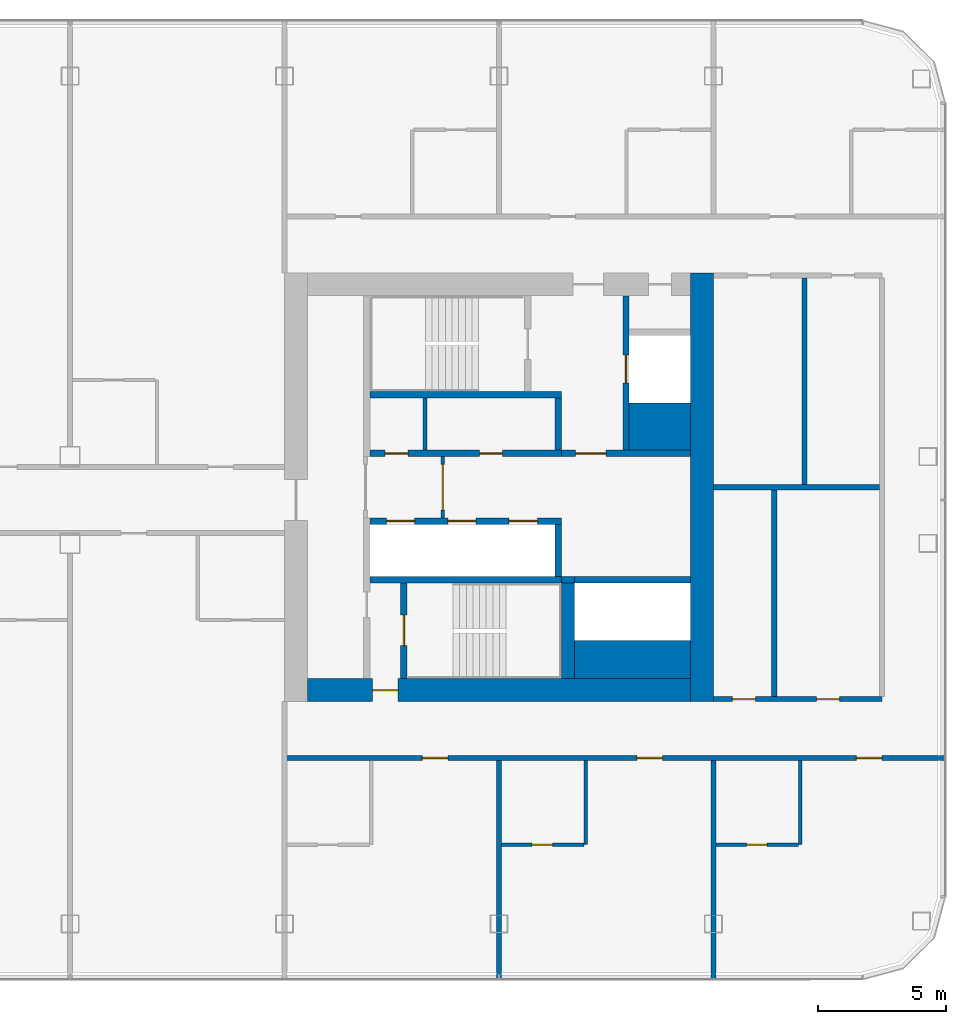
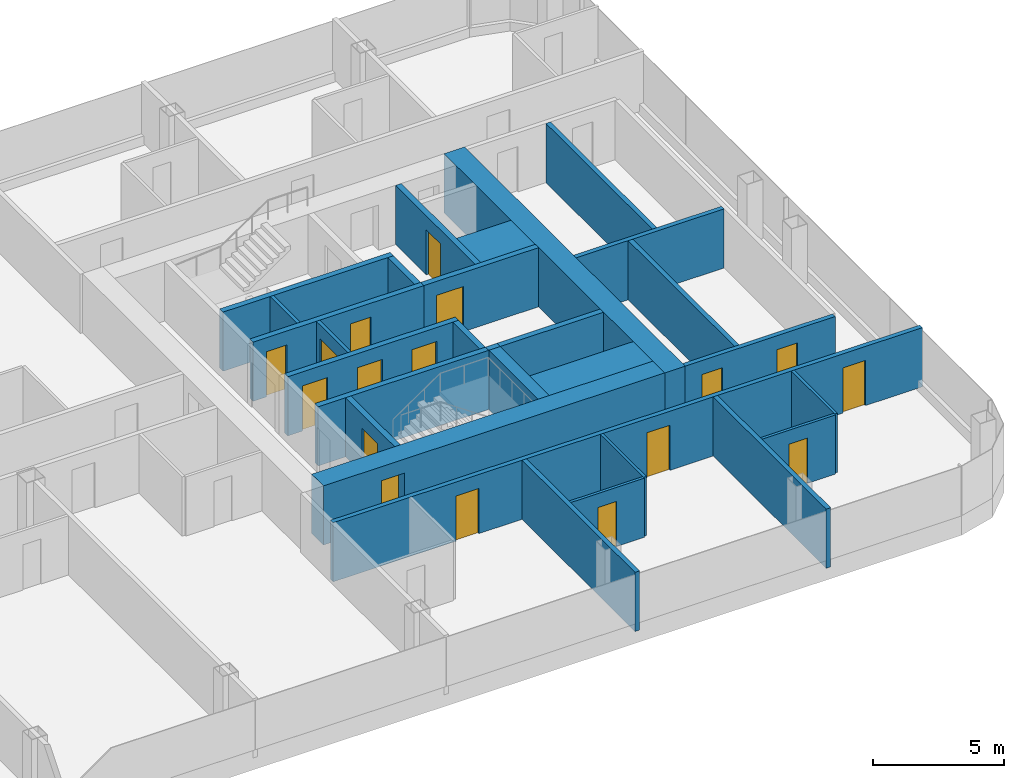
# One storey, part 16 of 26: 29 walls, 17 doors, 17 openings.
"""IFC4 building model written with IfcOpenShell, lengths in metres."""

from ifc_helpers import new_model, si_unit, direction, frame, frame_2d, origin, place, context, subcontext, project, spatial, rectangle, extrude, material, layer, layer_set, type_object, element, fill, save


model = new_model("IFC4")

# Units and contexts
model_context = context("Model", 3, precision=1e-05, world=origin(), true_north=direction((0.0, 1.0)))
body_context = subcontext(model_context, "Body", "Model", "MODEL_VIEW")
ifc_project = project(units=[si_unit("LENGTHUNIT", "METRE"), si_unit("AREAUNIT", "SQUARE_METRE"), si_unit("VOLUMEUNIT", "CUBIC_METRE"), si_unit("PLANEANGLEUNIT", "RADIAN"), si_unit("MASSUNIT", "GRAM", prefix="KILO")], contexts=[model_context])

# Site, building, storey
site_placement = place(None, origin())
site = spatial("IfcSite", under=ifc_project, at=site_placement, CompositionType="ELEMENT")
building_placement = place(site_placement, origin())
building = spatial("IfcBuilding", under=site, at=building_placement, Name="Hakoniwa Tower and Hamabe Station Hall", CompositionType="ELEMENT")
storey_placement = place(building_placement, frame((0.0, 0.0, 131.0)))
storey = spatial("IfcBuildingStorey", under=building, at=storey_placement, Name="L36", CompositionType="ELEMENT", Elevation=131.0)

# Wall, opening, door
ifc_material_1 = material(Name="Gypsum board partition", Category="gypsum")
ifc_layer_1 = layer(ifc_material_1, 0.125)
ifc_layer_set_1 = layer_set([ifc_layer_1], Name="Bathroom Partition 125")
wall_type_1 = type_object("IfcWallType", Name="Bathroom Partition 125", PredefinedType="PARTITIONING", material=ifc_layer_set_1)
wall_1_placement = place(storey_placement, frame((25.300048828125, -14.0, 0.0), z_axis=(0.0, 0.0, 1.0), x_axis=(1.0, 0.0, 0.0)))
wall_1 = element("IfcWall", 1, at=wall_1_placement, inside=storey, type_object=wall_type_1, Name="GW-L36-005", PredefinedType="PARTITIONING", context=body_context, shape_type="SweptSolid", body=[
    extrude(rectangle(XDim=3.237548828125, YDim=0.125, at=frame_2d((1.61865234375, 0.0))), origin(), (0.0, 0.0, 1.0), 2.75),
])
opening_1_placement = place(wall_1_placement, frame((1.199951171875, 0.0, 0.0)))
opening_1 = element("IfcOpeningElement", 2, at=opening_1_placement, cuts=wall_1, Name="Opening GD-G3A0-05", PredefinedType="OPENING", context=body_context, shape_type="SweptSolid", body=[
    extrude(rectangle(XDim=0.800048828125, YDim=2.10009765625, at=frame_2d((0.39990234375, 1.050048828125))), frame((0.0, 0.072509765625, 0.0), z_axis=(0.0, -1.0, 0.0), x_axis=(1.0, 0.0, 0.0)), (0.0, 0.0, 1.0), 0.14501953125),
])
ifc_material_2 = material(Name="Timber door leaf", Category="wood")
door_type_1 = type_object("IfcDoorType", Name="Bathroom Door 800", OperationType="SINGLE_SWING_LEFT", PredefinedType="DOOR", material=ifc_material_2)
door_1_placement = place(opening_1_placement, origin())
door_1 = element("IfcDoor", 3, at=door_1_placement, inside=storey, type_object=door_type_1, Name="Door GD-G3A0-05", OperationType="SINGLE_SWING_LEFT", OverallHeight=2.10009765625, OverallWidth=0.800048828125, PredefinedType="DOOR", context=body_context, shape_type="SweptSolid", body=[
    extrude(rectangle(XDim=0.800048828125, YDim=2.10009765625, at=frame_2d((0.39990234375, 1.050048828125))), frame((0.0, 0.02490234375, 0.0), z_axis=(0.0, -1.0, 0.0), x_axis=(1.0, 0.0, 0.0)), (0.0, 0.0, 1.0), 0.050048828125),
])
fill(opening_1, door_1)

wall_2_placement = place(storey_placement, frame((33.699951171875, -14.0, 0.0), z_axis=(0.0, 0.0, 1.0), x_axis=(1.0, 0.0, 0.0)))
wall_2 = element("IfcWall", 4, at=wall_2_placement, inside=storey, type_object=wall_type_1, Name="GW-L36-006", PredefinedType="PARTITIONING", context=body_context, shape_type="SweptSolid", body=[
    extrude(rectangle(XDim=3.237548828125, YDim=0.125, at=frame_2d((1.61865234375, 0.0))), origin(), (0.0, 0.0, 1.0), 2.75),
])
opening_2_placement = place(wall_2_placement, frame((1.199951171875, 0.0, 0.0)))
opening_2 = element("IfcOpeningElement", 5, at=opening_2_placement, cuts=wall_2, Name="Opening GD-G3A0-06", PredefinedType="OPENING", context=body_context, shape_type="SweptSolid", body=[
    extrude(rectangle(XDim=0.800048828125, YDim=2.10009765625, at=frame_2d((0.39990234375, 1.050048828125))), frame((0.0, 0.072509765625, 0.0), z_axis=(0.0, -1.0, 0.0), x_axis=(1.0, 0.0, 0.0)), (0.0, 0.0, 1.0), 0.14501953125),
])
door_2_placement = place(opening_2_placement, origin())
door_2 = element("IfcDoor", 6, at=door_2_placement, inside=storey, type_object=door_type_1, Name="Door GD-G3A0-06", OperationType="SINGLE_SWING_RIGHT", OverallHeight=2.10009765625, OverallWidth=0.800048828125, PredefinedType="DOOR", context=body_context, shape_type="SweptSolid", body=[
    extrude(rectangle(XDim=0.800048828125, YDim=2.10009765625, at=frame_2d((0.39990234375, 1.050048828125))), frame((0.0, 0.02490234375, 0.0), z_axis=(0.0, -1.0, 0.0), x_axis=(1.0, 0.0, 0.0)), (0.0, 0.0, 1.0), 0.050048828125),
])
fill(opening_2, door_2)

# Walls
for number, where, z_axis, x_axis, name in (
    (7, (28.60009765625, -14.0, 0.0), (0.0, 0.0, 1.0), (0.0, 1.0, 0.0), "GW-L36-064"),
    (8, (37.0, -14.0, 0.0), (0.0, 0.0, 1.0), (0.0, 1.0, 0.0), "GW-L36-069"),
):
    element("IfcWall", number, at=place(storey_placement, frame(where, z_axis=z_axis, x_axis=x_axis)), inside=storey, type_object=wall_type_1, Name=name, PredefinedType="PARTITIONING", context=body_context, shape_type="SweptSolid", body=[
        extrude(rectangle(XDim=3.300048828125, YDim=0.125, at=frame_2d((1.64990234375, 0.0))), origin(), (0.0, 0.0, 1.0), 2.75),
    ])

# Wall, opening, door
ifc_material_3 = material(Name="Gypsum board partition")
ifc_layer_2 = layer(ifc_material_3, 0.14990234375)
ifc_layer_set_2 = layer_set([ifc_layer_2], Name="CORE PARTITION 150 EI 60")
wall_type_2 = type_object("IfcWallType", Name="CORE PARTITION 150 EI 60", PredefinedType="PARTITIONING", material=ifc_layer_set_2)
wall_3_placement = place(storey_placement, frame((23.0, -1.199951171875, 0.0), z_axis=(0.0, 0.0, 1.0), x_axis=(0.0, 1.0, 0.0)))
wall_3 = element("IfcWall", 9, at=wall_3_placement, inside=storey, type_object=wall_type_2, Name="Core partition PL1 east", PredefinedType="PARTITIONING", context=body_context, shape_type="SweptSolid", body=[
    extrude(rectangle(XDim=2.39990234375, YDim=0.14990234375, at=frame_2d((1.199951171875, 0.0))), origin(), (0.0, 0.0, 1.0), 2.75),
])
opening_3_placement = place(wall_3_placement, frame((0.300048828125, 0.0, 0.0)))
opening_3 = element("IfcOpeningElement", 10, at=opening_3_placement, cuts=wall_3, Name="Opening CD-E-LP1-18", PredefinedType="OPENING", context=body_context, shape_type="SweptSolid", body=[
    extrude(rectangle(XDim=1.800048828125, YDim=2.10009765625, at=frame_2d((0.89990234375, 1.050048828125))), frame((0.0, 0.0849609375, 0.0), z_axis=(0.0, -1.0, 0.0), x_axis=(1.0, 0.0, 0.0)), (0.0, 0.0, 1.0), 0.169921875),
])
ifc_material_4 = material(Name="Steel fire door", Category="steel")
door_type_2 = type_object("IfcDoorType", Name="CORE DOOR 1800 FD60", OperationType="DOUBLE_DOOR_SINGLE_SWING", PredefinedType="DOOR", material=ifc_material_4)
door_3_placement = place(opening_3_placement, origin())
door_3 = element("IfcDoor", 11, at=door_3_placement, inside=storey, type_object=door_type_2, Name="Lift lobby partition door", OperationType="DOUBLE_DOOR_SINGLE_SWING", OverallHeight=2.10009765625, OverallWidth=1.800048828125, PredefinedType="DOOR", context=body_context, shape_type="SweptSolid", body=[
    extrude(rectangle(XDim=1.800048828125, YDim=2.10009765625, at=frame_2d((0.89990234375, 1.050048828125))), frame((0.0, 0.02490234375, 0.0), z_axis=(0.0, -1.0, 0.0), x_axis=(1.0, 0.0, 0.0)), (0.0, 0.0, 1.0), 0.050048828125),
])
fill(opening_3, door_3)

# Walls
wall_4_placement = place(storey_placement, frame((22.300048828125, 1.449951171875, 0.0), z_axis=(0.0, 0.0, 1.0), x_axis=(0.0, 1.0, 0.0)))
element("IfcWall", 12, at=wall_4_placement, inside=storey, type_object=wall_type_2, Name="Core partition PFLR0 east", PredefinedType="PARTITIONING", context=body_context, shape_type="SweptSolid", body=[
    extrude(rectangle(XDim=2.050048828125, YDim=0.14990234375, at=frame_2d((1.02490234375, 0.0))), origin(), (0.0, 0.0, 1.0), 2.75),
])
ifc_material_5 = material(Name="Concrete C66", Category="concrete")
ifc_layer_3 = layer(ifc_material_5, 0.89990234375)
ifc_layer_set_3 = layer_set([ifc_layer_3], Name="CORE WALL 900 C66")
wall_type_3 = type_object("IfcWallType", Name="CORE WALL 900 C66", PredefinedType="SHEAR", material=ifc_layer_set_3)
wall_5_placement = place(storey_placement, frame((33.14990234375, -8.39990234375, 0.0), z_axis=(0.0, 0.0, 1.0), x_axis=(0.0, 1.0, 0.0)))
element("IfcWall", 13, at=wall_5_placement, inside=storey, type_object=wall_type_3, Name="Core wall OUTER east", PredefinedType="SHEAR", context=body_context, shape_type="SweptSolid", body=[
    extrude(rectangle(XDim=16.7998046875, YDim=0.89990234375, at=frame_2d((8.39990234375, 0.0))), origin(), (0.0, 0.0, 1.0), 2.75),
])

# Wall, opening, door
wall_6_placement = place(storey_placement, frame((17.699951171875, -7.949951171875, 0.0), z_axis=(0.0, 0.0, 1.0), x_axis=(1.0, 0.0, 0.0)))
wall_6 = element("IfcWall", 14, at=wall_6_placement, inside=storey, type_object=wall_type_3, Name="Core wall SOUTH east", PredefinedType="SHEAR", context=body_context, shape_type="SweptSolid", body=[
    extrude(rectangle(XDim=15.0, YDim=0.89990234375, at=frame_2d((7.5, 0.0))), origin(), (0.0, 0.0, 1.0), 2.75),
])
opening_4_placement = place(wall_6_placement, frame((2.550048828125, 0.0, 0.0)))
opening_4 = element("IfcOpeningElement", 15, at=opening_4_placement, cuts=wall_6, Name="Opening CD-E-FS3-10", PredefinedType="OPENING", context=body_context, shape_type="SweptSolid", body=[
    extrude(rectangle(XDim=1.0, YDim=2.10009765625, at=frame_2d((0.5, 1.050048828125))), frame((0.0, 0.4599609375, 0.0), z_axis=(0.0, -1.0, 0.0), x_axis=(1.0, 0.0, 0.0)), (0.0, 0.0, 1.0), 0.919921875),
])
ifc_material_6 = material(Name="Steel fire door", Category="steel")
door_type_3 = type_object("IfcDoorType", Name="CORE DOOR 1000 FD60", OperationType="NOTDEFINED", PredefinedType="DOOR", material=ifc_material_6)
door_4_placement = place(opening_4_placement, origin())
door_4 = element("IfcDoor", 16, at=door_4_placement, inside=storey, type_object=door_type_3, Name="Stair vestibule door", OperationType="SINGLE_SWING_RIGHT", OverallHeight=2.10009765625, OverallWidth=1.0, PredefinedType="DOOR", context=body_context, shape_type="SweptSolid", body=[
    extrude(rectangle(XDim=1.0, YDim=2.10009765625, at=frame_2d((0.5, 1.050048828125))), frame((0.0, 0.02490234375, 0.0), z_axis=(0.0, -1.0, 0.0), x_axis=(1.0, 0.0, 0.0)), (0.0, 0.0, 1.0), 0.050048828125),
])
fill(opening_4, door_4)

# Walls
ifc_material_7 = material(Name="Concrete C66", Category="concrete")
ifc_layer_4 = layer(ifc_material_7, 1.5)
ifc_layer_set_4 = layer_set([ifc_layer_4], Name="CORE WEB WALL 1500 C66")
wall_type_4 = type_object("IfcWallType", Name="CORE WEB WALL 1500 C66", PredefinedType="SHEAR", material=ifc_layer_set_4)
wall_7_placement = place(storey_placement, frame((28.14990234375, -6.75, 0.0), z_axis=(0.0, 0.0, 1.0), x_axis=(1.0, 0.0, 0.0)))
element("IfcWall", 17, at=wall_7_placement, inside=storey, type_object=wall_type_4, Name="Core wall SER east", PredefinedType="SHEAR", context=body_context, shape_type="SweptSolid", body=[
    extrude(rectangle(XDim=4.550048828125, YDim=1.5, at=frame_2d((2.27490234375, 0.0))), origin(), (0.0, 0.0, 1.0), 2.75),
])
ifc_material_8 = material(Name="Concrete C66", Category="concrete")
ifc_layer_5 = layer(ifc_material_8, 1.85009765625)
ifc_layer_set_5 = layer_set([ifc_layer_5], Name="CORE WEB WALL 1850 C66")
wall_type_5 = type_object("IfcWallType", Name="CORE WEB WALL 1850 C66", PredefinedType="SHEAR", material=ifc_layer_set_5)
wall_8_placement = place(storey_placement, frame((30.300048828125, 2.375, 0.0), z_axis=(0.0, 0.0, 1.0), x_axis=(1.0, 0.0, 0.0)))
element("IfcWall", 18, at=wall_8_placement, inside=storey, type_object=wall_type_5, Name="Core wall CA east", PredefinedType="SHEAR", context=body_context, shape_type="SweptSolid", body=[
    extrude(rectangle(XDim=2.39990234375, YDim=1.85009765625, at=frame_2d((1.199951171875, 0.0))), origin(), (0.0, 0.0, 1.0), 2.75),
])

# Wall, openings, doors
ifc_material_9 = material(Name="Concrete C66", Category="concrete")
ifc_layer_6 = layer(ifc_material_9, 0.25)
ifc_layer_set_6 = layer_set([ifc_layer_6], Name="CORE WEB WALL 250 C66")
wall_type_6 = type_object("IfcWallType", Name="CORE WEB WALL 250 C66", PredefinedType="SHEAR", material=ifc_layer_set_6)
wall_9_placement = place(storey_placement, frame((20.14990234375, 1.324951171875, 0.0), z_axis=(0.0, 0.0, 1.0), x_axis=(1.0, 0.0, 0.0)))
wall_9 = element("IfcWall", 19, at=wall_9_placement, inside=storey, type_object=wall_type_6, Name="Core wall NF east", PredefinedType="SHEAR", context=body_context, shape_type="SweptSolid", body=[
    extrude(rectangle(XDim=7.5, YDim=0.25, at=frame_2d((3.75, 0.0))), origin(), (0.0, 0.0, 1.0), 2.75),
])
opening_5_placement = place(wall_9_placement, frame((0.58740234375, 0.0, 0.0)))
opening_5 = element("IfcOpeningElement", 20, at=opening_5_placement, cuts=wall_9, Name="Opening CD-E-FRLR0-9", PredefinedType="OPENING", context=body_context, shape_type="SweptSolid", body=[
    extrude(rectangle(XDim=0.89990234375, YDim=2.10009765625, at=frame_2d((0.449951171875, 1.050048828125))), frame((0.0, 0.135009765625, 0.0), z_axis=(0.0, -1.0, 0.0), x_axis=(1.0, 0.0, 0.0)), (0.0, 0.0, 1.0), 0.27001953125),
])
opening_6_placement = place(wall_9_placement, frame((4.28759765625, 0.0, 0.0)))
opening_6 = element("IfcOpeningElement", 21, at=opening_6_placement, cuts=wall_9, Name="Opening CD-E-FRLR1-9", PredefinedType="OPENING", context=body_context, shape_type="SweptSolid", body=[
    extrude(rectangle(XDim=0.89990234375, YDim=2.10009765625, at=frame_2d((0.449951171875, 1.050048828125))), frame((0.0, 0.135009765625, 0.0), z_axis=(0.0, -1.0, 0.0), x_axis=(1.0, 0.0, 0.0)), (0.0, 0.0, 1.0), 0.27001953125),
])
ifc_material_10 = material(Name="Steel fire door", Category="steel")
door_type_4 = type_object("IfcDoorType", Name="CORE DOOR 900 FD30", OperationType="NOTDEFINED", PredefinedType="DOOR", material=ifc_material_10)
door_5_placement = place(opening_5_placement, origin())
door_5 = element("IfcDoor", 22, at=door_5_placement, inside=storey, type_object=door_type_4, Name="Store room door", OperationType="SINGLE_SWING_RIGHT", OverallHeight=2.10009765625, OverallWidth=0.89990234375, PredefinedType="DOOR", context=body_context, shape_type="SweptSolid", body=[
    extrude(rectangle(XDim=0.89990234375, YDim=2.10009765625, at=frame_2d((0.449951171875, 1.050048828125))), frame((0.0, 0.02490234375, 0.0), z_axis=(0.0, -1.0, 0.0), x_axis=(1.0, 0.0, 0.0)), (0.0, 0.0, 1.0), 0.050048828125),
])
fill(opening_5, door_5)
door_6_placement = place(opening_6_placement, origin())
door_6 = element("IfcDoor", 23, at=door_6_placement, inside=storey, type_object=door_type_4, Name="Store room door", OperationType="SINGLE_SWING_RIGHT", OverallHeight=2.10009765625, OverallWidth=0.89990234375, PredefinedType="DOOR", context=body_context, shape_type="SweptSolid", body=[
    extrude(rectangle(XDim=0.89990234375, YDim=2.10009765625, at=frame_2d((0.449951171875, 1.050048828125))), frame((0.0, 0.02490234375, 0.0), z_axis=(0.0, -1.0, 0.0), x_axis=(1.0, 0.0, 0.0)), (0.0, 0.0, 1.0), 0.050048828125),
])
fill(opening_6, door_6)

# Walls
wall_10_placement = place(storey_placement, frame((27.52490234375, 1.449951171875, 0.0), z_axis=(0.0, 0.0, 1.0), x_axis=(0.0, 1.0, 0.0)))
element("IfcWall", 24, at=wall_10_placement, inside=storey, type_object=wall_type_6, Name="Core wall NE east", PredefinedType="SHEAR", context=body_context, shape_type="SweptSolid", body=[
    extrude(rectangle(XDim=2.050048828125, YDim=0.25, at=frame_2d((1.02490234375, 0.0))), origin(), (0.0, 0.0, 1.0), 2.75),
])
wall_11_placement = place(storey_placement, frame((20.14990234375, 3.625, 0.0), z_axis=(0.0, 0.0, 1.0), x_axis=(1.0, 0.0, 0.0)))
element("IfcWall", 25, at=wall_11_placement, inside=storey, type_object=wall_type_6, Name="Core wall NR east", PredefinedType="SHEAR", context=body_context, shape_type="SweptSolid", body=[
    extrude(rectangle(XDim=7.5, YDim=0.25, at=frame_2d((3.75, 0.0))), origin(), (0.0, 0.0, 1.0), 2.75),
])

# Wall, opening, door
wall_12_placement = place(storey_placement, frame((27.64990234375, 1.324951171875, 0.0), z_axis=(0.0, 0.0, 1.0), x_axis=(1.0, 0.0, 0.0)))
wall_12 = element("IfcWall", 26, at=wall_12_placement, inside=storey, type_object=wall_type_6, Name="Core wall ELN east", PredefinedType="SHEAR", context=body_context, shape_type="SweptSolid", body=[
    extrude(rectangle(XDim=5.050048828125, YDim=0.25, at=frame_2d((2.52490234375, 0.0))), origin(), (0.0, 0.0, 1.0), 2.75),
])
opening_7_placement = place(wall_12_placement, frame((0.550048828125, 0.0, 0.0)))
opening_7 = element("IfcOpeningElement", 27, at=opening_7_placement, cuts=wall_12, Name="Opening CD-E-FL-12", PredefinedType="OPENING", context=body_context, shape_type="SweptSolid", body=[
    extrude(rectangle(XDim=1.199951171875, YDim=2.10009765625, at=frame_2d((0.60009765625, 1.050048828125))), frame((0.0, 0.135009765625, 0.0), z_axis=(0.0, -1.0, 0.0), x_axis=(1.0, 0.0, 0.0)), (0.0, 0.0, 1.0), 0.27001953125),
])
ifc_material_11 = material(Name="Steel fire door", Category="steel")
door_type_5 = type_object("IfcDoorType", Name="CORE DOOR 1200 FD60", OperationType="DOUBLE_DOOR_SINGLE_SWING", PredefinedType="DOOR", material=ifc_material_11)
door_7_placement = place(opening_7_placement, origin())
door_7 = element("IfcDoor", 28, at=door_7_placement, inside=storey, type_object=door_type_5, Name="Stair vestibule door to the fire-fighting lobby", OperationType="DOUBLE_DOOR_SINGLE_SWING", OverallHeight=2.10009765625, OverallWidth=1.199951171875, PredefinedType="DOOR", context=body_context, shape_type="SweptSolid", body=[
    extrude(rectangle(XDim=1.199951171875, YDim=2.10009765625, at=frame_2d((0.60009765625, 1.050048828125))), frame((0.0, 0.02490234375, 0.0), z_axis=(0.0, -1.0, 0.0), x_axis=(1.0, 0.0, 0.0)), (0.0, 0.0, 1.0), 0.050048828125),
])
fill(opening_7, door_7)

wall_13_placement = place(storey_placement, frame((30.175048828125, 1.449951171875, 0.0), z_axis=(0.0, 0.0, 1.0), x_axis=(0.0, 1.0, 0.0)))
wall_13 = element("IfcWall", 29, at=wall_13_placement, inside=storey, type_object=wall_type_6, Name="Core wall FFF east", PredefinedType="SHEAR", context=body_context, shape_type="SweptSolid", body=[
    extrude(rectangle(XDim=6.050048828125, YDim=0.25, at=frame_2d((3.02490234375, 0.0))), origin(), (0.0, 0.0, 1.0), 2.75),
])
opening_8_placement = place(wall_13_placement, frame((2.625, 0.0, 0.0)))
opening_8 = element("IfcOpeningElement", 30, at=opening_8_placement, cuts=wall_13, Name="Opening LD-FF2", PredefinedType="OPENING", context=body_context, shape_type="SweptSolid", body=[
    extrude(rectangle(XDim=1.10009765625, YDim=2.10009765625, at=frame_2d((0.550048828125, 1.050048828125))), frame((0.0, 0.135009765625, 0.0), z_axis=(0.0, -1.0, 0.0), x_axis=(1.0, 0.0, 0.0)), (0.0, 0.0, 1.0), 0.27001953125),
])
ifc_material_12 = material(Name="Stainless steel SUS304", Category="steel")
door_type_6 = type_object("IfcDoorType", Name="LIFT LANDING DOOR 1100 FD60", OperationType="DOUBLE_DOOR_SLIDING", PredefinedType="DOOR", material=ifc_material_12)
door_8_placement = place(opening_8_placement, origin())
door_8 = element("IfcDoor", 31, at=door_8_placement, inside=storey, type_object=door_type_6, Name="Lift landing door FF2 L36", OperationType="DOUBLE_DOOR_SLIDING", OverallHeight=2.10009765625, OverallWidth=1.10009765625, PredefinedType="DOOR", context=body_context, shape_type="SweptSolid", body=[
    extrude(rectangle(XDim=1.10009765625, YDim=2.10009765625, at=frame_2d((0.550048828125, 1.050048828125))), frame((0.0, 0.02490234375, 0.0), z_axis=(0.0, -1.0, 0.0), x_axis=(1.0, 0.0, 0.0)), (0.0, 0.0, 1.0), 0.050048828125),
])
fill(opening_8, door_8)

# Wall, openings, doors
wall_14_placement = place(storey_placement, frame((20.14990234375, -1.324951171875, 0.0), z_axis=(0.0, 0.0, 1.0), x_axis=(1.0, 0.0, 0.0)))
wall_14 = element("IfcWall", 32, at=wall_14_placement, inside=storey, type_object=wall_type_6, Name="Core wall SF east", PredefinedType="SHEAR", context=body_context, shape_type="SweptSolid", body=[
    extrude(rectangle(XDim=7.5, YDim=0.25, at=frame_2d((3.75, 0.0))), origin(), (0.0, 0.0, 1.0), 2.75),
])
opening_9_placement = place(wall_14_placement, frame((0.64990234375, 0.0, 0.0)))
opening_9 = element("IfcOpeningElement", 33, at=opening_9_placement, cuts=wall_14, Name="Opening LD-HR4", PredefinedType="OPENING", context=body_context, shape_type="SweptSolid", body=[
    extrude(rectangle(XDim=1.10009765625, YDim=2.10009765625, at=frame_2d((0.550048828125, 1.050048828125))), frame((0.0, 0.135009765625, 0.0), z_axis=(0.0, -1.0, 0.0), x_axis=(1.0, 0.0, 0.0)), (0.0, 0.0, 1.0), 0.27001953125),
])
opening_10_placement = place(wall_14_placement, frame((3.050048828125, 0.0, 0.0)))
opening_10 = element("IfcOpeningElement", 34, at=opening_10_placement, cuts=wall_14, Name="Opening LD-HR5", PredefinedType="OPENING", context=body_context, shape_type="SweptSolid", body=[
    extrude(rectangle(XDim=1.10009765625, YDim=2.10009765625, at=frame_2d((0.550048828125, 1.050048828125))), frame((0.0, 0.135009765625, 0.0), z_axis=(0.0, -1.0, 0.0), x_axis=(1.0, 0.0, 0.0)), (0.0, 0.0, 1.0), 0.27001953125),
])
opening_11_placement = place(wall_14_placement, frame((5.449951171875, 0.0, 0.0)))
opening_11 = element("IfcOpeningElement", 35, at=opening_11_placement, cuts=wall_14, Name="Opening LD-HR6", PredefinedType="OPENING", context=body_context, shape_type="SweptSolid", body=[
    extrude(rectangle(XDim=1.10009765625, YDim=2.10009765625, at=frame_2d((0.550048828125, 1.050048828125))), frame((0.0, 0.135009765625, 0.0), z_axis=(0.0, -1.0, 0.0), x_axis=(1.0, 0.0, 0.0)), (0.0, 0.0, 1.0), 0.27001953125),
])
door_9_placement = place(opening_9_placement, origin())
door_9 = element("IfcDoor", 36, at=door_9_placement, inside=storey, type_object=door_type_6, Name="Lift landing door HR4 L36", OperationType="DOUBLE_DOOR_SLIDING", OverallHeight=2.10009765625, OverallWidth=1.10009765625, PredefinedType="DOOR", context=body_context, shape_type="SweptSolid", body=[
    extrude(rectangle(XDim=1.10009765625, YDim=2.10009765625, at=frame_2d((0.550048828125, 1.050048828125))), frame((0.0, 0.02490234375, 0.0), z_axis=(0.0, -1.0, 0.0), x_axis=(1.0, 0.0, 0.0)), (0.0, 0.0, 1.0), 0.050048828125),
])
fill(opening_9, door_9)
door_10_placement = place(opening_10_placement, origin())
door_10 = element("IfcDoor", 37, at=door_10_placement, inside=storey, type_object=door_type_6, Name="Lift landing door HR5 L36", OperationType="DOUBLE_DOOR_SLIDING", OverallHeight=2.10009765625, OverallWidth=1.10009765625, PredefinedType="DOOR", context=body_context, shape_type="SweptSolid", body=[
    extrude(rectangle(XDim=1.10009765625, YDim=2.10009765625, at=frame_2d((0.550048828125, 1.050048828125))), frame((0.0, 0.02490234375, 0.0), z_axis=(0.0, -1.0, 0.0), x_axis=(1.0, 0.0, 0.0)), (0.0, 0.0, 1.0), 0.050048828125),
])
fill(opening_10, door_10)
door_11_placement = place(opening_11_placement, origin())
door_11 = element("IfcDoor", 38, at=door_11_placement, inside=storey, type_object=door_type_6, Name="Lift landing door HR6 L36", OperationType="DOUBLE_DOOR_SLIDING", OverallHeight=2.10009765625, OverallWidth=1.10009765625, PredefinedType="DOOR", context=body_context, shape_type="SweptSolid", body=[
    extrude(rectangle(XDim=1.10009765625, YDim=2.10009765625, at=frame_2d((0.550048828125, 1.050048828125))), frame((0.0, 0.02490234375, 0.0), z_axis=(0.0, -1.0, 0.0), x_axis=(1.0, 0.0, 0.0)), (0.0, 0.0, 1.0), 0.050048828125),
])
fill(opening_11, door_11)

# Walls
wall_15_placement = place(storey_placement, frame((27.52490234375, -3.5, 0.0), z_axis=(0.0, 0.0, 1.0), x_axis=(0.0, 1.0, 0.0)))
element("IfcWall", 39, at=wall_15_placement, inside=storey, type_object=wall_type_6, Name="Core wall SE east", PredefinedType="SHEAR", context=body_context, shape_type="SweptSolid", body=[
    extrude(rectangle(XDim=2.050048828125, YDim=0.25, at=frame_2d((1.02490234375, 0.0))), origin(), (0.0, 0.0, 1.0), 2.75),
])
wall_16_placement = place(storey_placement, frame((20.14990234375, -3.625, 0.0), z_axis=(0.0, 0.0, 1.0), x_axis=(1.0, 0.0, 0.0)))
element("IfcWall", 40, at=wall_16_placement, inside=storey, type_object=wall_type_6, Name="Core wall SR east", PredefinedType="SHEAR", context=body_context, shape_type="SweptSolid", body=[
    extrude(rectangle(XDim=7.5, YDim=0.25, at=frame_2d((3.75, 0.0))), origin(), (0.0, 0.0, 1.0), 2.75),
])

# Wall, opening, door
wall_17_placement = place(storey_placement, frame((21.47509765625, -7.5, 0.0), z_axis=(0.0, 0.0, 1.0), x_axis=(0.0, 1.0, 0.0)))
wall_17 = element("IfcWall", 41, at=wall_17_placement, inside=storey, type_object=wall_type_6, Name="Core wall VE east", PredefinedType="SHEAR", context=body_context, shape_type="SweptSolid", body=[
    extrude(rectangle(XDim=3.75, YDim=0.25, at=frame_2d((1.875, 0.0))), origin(), (0.0, 0.0, 1.0), 2.75),
])
opening_12_placement = place(wall_17_placement, frame((1.300048828125, 0.0, 0.0)))
opening_12 = element("IfcOpeningElement", 42, at=opening_12_placement, cuts=wall_17, Name="Opening CD-E-SS-12", PredefinedType="OPENING", context=body_context, shape_type="SweptSolid", body=[
    extrude(rectangle(XDim=1.199951171875, YDim=2.10009765625, at=frame_2d((0.60009765625, 1.050048828125))), frame((0.0, 0.135009765625, 0.0), z_axis=(0.0, -1.0, 0.0), x_axis=(1.0, 0.0, 0.0)), (0.0, 0.0, 1.0), 0.27001953125),
])
door_12_placement = place(opening_12_placement, origin())
door_12 = element("IfcDoor", 43, at=door_12_placement, inside=storey, type_object=door_type_5, Name="Escape stair door", OperationType="DOUBLE_DOOR_SINGLE_SWING", OverallHeight=2.10009765625, OverallWidth=1.199951171875, PredefinedType="DOOR", context=body_context, shape_type="SweptSolid", body=[
    extrude(rectangle(XDim=1.199951171875, YDim=2.10009765625, at=frame_2d((0.60009765625, 1.050048828125))), frame((0.0, 0.02490234375, 0.0), z_axis=(0.0, -1.0, 0.0), x_axis=(1.0, 0.0, 0.0)), (0.0, 0.0, 1.0), 0.050048828125),
])
fill(opening_12, door_12)

# Walls
wall_18_placement = place(storey_placement, frame((28.14990234375, -3.625, 0.0), z_axis=(0.0, 0.0, 1.0), x_axis=(1.0, 0.0, 0.0)))
element("IfcWall", 44, at=wall_18_placement, inside=storey, type_object=wall_type_6, Name="Core wall SEF east", PredefinedType="SHEAR", context=body_context, shape_type="SweptSolid", body=[
    extrude(rectangle(XDim=4.550048828125, YDim=0.25, at=frame_2d((2.27490234375, 0.0))), origin(), (0.0, 0.0, 1.0), 2.75),
])
wall_19_placement = place(storey_placement, frame((27.64990234375, -3.625, 0.0), z_axis=(0.0, 0.0, 1.0), x_axis=(1.0, 0.0, 0.0)))
element("IfcWall", 45, at=wall_19_placement, inside=storey, type_object=wall_type_6, Name="Core wall SRK east", PredefinedType="SHEAR", context=body_context, shape_type="SweptSolid", body=[
    extrude(rectangle(XDim=0.5, YDim=0.25, at=frame_2d((0.25, 0.0))), origin(), (0.0, 0.0, 1.0), 2.75),
])
ifc_material_13 = material(Name="Concrete C66", Category="concrete")
ifc_layer_7 = layer(ifc_material_13, 0.5)
ifc_layer_set_7 = layer_set([ifc_layer_7], Name="CORE WEB WALL 500 C66")
wall_type_7 = type_object("IfcWallType", Name="CORE WEB WALL 500 C66", PredefinedType="SHEAR", material=ifc_layer_set_7)
wall_20_placement = place(storey_placement, frame((27.89990234375, -7.5, 0.0), z_axis=(0.0, 0.0, 1.0), x_axis=(0.0, 1.0, 0.0)))
element("IfcWall", 46, at=wall_20_placement, inside=storey, type_object=wall_type_7, Name="Core wall SSE east", PredefinedType="SHEAR", context=body_context, shape_type="SweptSolid", body=[
    extrude(rectangle(XDim=3.75, YDim=0.5, at=frame_2d((1.875, 0.0))), origin(), (0.0, 0.0, 1.0), 2.75),
])

# Wall, openings, doors
ifc_material_14 = material(Name="Fire-rated gypsum board partition", Category="gypsum")
ifc_layer_8 = layer(ifc_material_14, 0.199951171875)
ifc_layer_set_8 = layer_set([ifc_layer_8], Name="Corridor Wall 200")
wall_type_8 = type_object("IfcWallType", Name="Corridor Wall 200", PredefinedType="PARTITIONING", material=ifc_layer_set_8)
wall_21_placement = place(storey_placement, frame((16.800048828125, -10.60009765625, 0.0), z_axis=(0.0, 0.0, 1.0), x_axis=(1.0, 0.0, 0.0)))
wall_21 = element("IfcWall", 47, at=wall_21_placement, inside=storey, type_object=wall_type_8, Name="GW-L36-008", PredefinedType="PARTITIONING", context=body_context, shape_type="SweptSolid", body=[
    extrude(rectangle(XDim=25.89990234375, YDim=0.199951171875, at=frame_2d((12.949951171875, 0.0))), origin(), (0.0, 0.0, 1.0), 2.75),
])
opening_13_placement = place(wall_21_placement, frame((5.39990234375, 0.0, 0.0)))
opening_13 = element("IfcOpeningElement", 48, at=opening_13_placement, cuts=wall_21, Name="Opening GD-G3A0-10", PredefinedType="OPENING", context=body_context, shape_type="SweptSolid", body=[
    extrude(rectangle(XDim=1.0, YDim=2.10009765625, at=frame_2d((0.5, 1.050048828125))), frame((0.0, 0.10986328125, 0.0), z_axis=(0.0, -1.0, 0.0), x_axis=(1.0, 0.0, 0.0)), (0.0, 0.0, 1.0), 0.219970703125),
])
opening_14_placement = place(wall_21_placement, frame((13.800048828125, 0.0, 0.0)))
opening_14 = element("IfcOpeningElement", 49, at=opening_14_placement, cuts=wall_21, Name="Opening GD-G3A0-11", PredefinedType="OPENING", context=body_context, shape_type="SweptSolid", body=[
    extrude(rectangle(XDim=1.0, YDim=2.10009765625, at=frame_2d((0.5, 1.050048828125))), frame((0.0, 0.10986328125, 0.0), z_axis=(0.0, -1.0, 0.0), x_axis=(1.0, 0.0, 0.0)), (0.0, 0.0, 1.0), 0.219970703125),
])
opening_15_placement = place(wall_21_placement, frame((22.39990234375, 0.0, 0.0)))
opening_15 = element("IfcOpeningElement", 50, at=opening_15_placement, cuts=wall_21, Name="Opening GD-G3A0-12", PredefinedType="OPENING", context=body_context, shape_type="SweptSolid", body=[
    extrude(rectangle(XDim=1.0, YDim=2.10009765625, at=frame_2d((0.5, 1.050048828125))), frame((0.0, 0.10986328125, 0.0), z_axis=(0.0, -1.0, 0.0), x_axis=(1.0, 0.0, 0.0)), (0.0, 0.0, 1.0), 0.219970703125),
])
ifc_material_15 = material(Name="Timber door leaf", Category="wood")
door_type_7 = type_object("IfcDoorType", Name="Guest Entrance Door 1000", OperationType="SINGLE_SWING_LEFT", PredefinedType="DOOR", material=ifc_material_15)
door_13_placement = place(opening_13_placement, origin())
door_13 = element("IfcDoor", 51, at=door_13_placement, inside=storey, type_object=door_type_7, Name="Door GD-G3A0-10", OperationType="SINGLE_SWING_RIGHT", OverallHeight=2.10009765625, OverallWidth=1.0, PredefinedType="DOOR", context=body_context, shape_type="SweptSolid", body=[
    extrude(rectangle(XDim=1.0, YDim=2.10009765625, at=frame_2d((0.5, 1.050048828125))), frame((0.0, 0.02490234375, 0.0), z_axis=(0.0, -1.0, 0.0), x_axis=(1.0, 0.0, 0.0)), (0.0, 0.0, 1.0), 0.050048828125),
])
fill(opening_13, door_13)
door_14_placement = place(opening_14_placement, origin())
door_14 = element("IfcDoor", 52, at=door_14_placement, inside=storey, type_object=door_type_7, Name="Door GD-G3A0-11", OperationType="SINGLE_SWING_LEFT", OverallHeight=2.10009765625, OverallWidth=1.0, PredefinedType="DOOR", context=body_context, shape_type="SweptSolid", body=[
    extrude(rectangle(XDim=1.0, YDim=2.10009765625, at=frame_2d((0.5, 1.050048828125))), frame((0.0, 0.02490234375, 0.0), z_axis=(0.0, -1.0, 0.0), x_axis=(1.0, 0.0, 0.0)), (0.0, 0.0, 1.0), 0.050048828125),
])
fill(opening_14, door_14)
door_15_placement = place(opening_15_placement, origin())
door_15 = element("IfcDoor", 53, at=door_15_placement, inside=storey, type_object=door_type_7, Name="Door GD-G3A0-12", OperationType="SINGLE_SWING_RIGHT", OverallHeight=2.10009765625, OverallWidth=1.0, PredefinedType="DOOR", context=body_context, shape_type="SweptSolid", body=[
    extrude(rectangle(XDim=1.0, YDim=2.10009765625, at=frame_2d((0.5, 1.050048828125))), frame((0.0, 0.02490234375, 0.0), z_axis=(0.0, -1.0, 0.0), x_axis=(1.0, 0.0, 0.0)), (0.0, 0.0, 1.0), 0.050048828125),
])
fill(opening_15, door_15)

wall_22_placement = place(storey_placement, frame((33.60009765625, -8.300048828125, 0.0), z_axis=(0.0, 0.0, 1.0), x_axis=(1.0, 0.0, 0.0)))
wall_22 = element("IfcWall", 54, at=wall_22_placement, inside=storey, type_object=wall_type_8, Name="GW-L36-010", PredefinedType="PARTITIONING", context=body_context, shape_type="SweptSolid", body=[
    extrude(rectangle(XDim=6.599853515625, YDim=0.199951171875, at=frame_2d((3.2998046875, 0.0))), origin(), (0.0, 0.0, 1.0), 2.75),
])
opening_16_placement = place(wall_22_placement, frame((0.739990234375, 0.0, 0.0)))
opening_16 = element("IfcOpeningElement", 55, at=opening_16_placement, cuts=wall_22, Name="Opening GD-G3A0-15", PredefinedType="OPENING", context=body_context, shape_type="SweptSolid", body=[
    extrude(rectangle(XDim=0.89990234375, YDim=2.10009765625, at=frame_2d((0.449951171875, 1.050048828125))), frame((0.0, 0.10986328125, 0.0), z_axis=(0.0, -1.0, 0.0), x_axis=(1.0, 0.0, 0.0)), (0.0, 0.0, 1.0), 0.219970703125),
])
opening_17_placement = place(wall_22_placement, frame((4.0400390625, 0.0, 0.0)))
opening_17 = element("IfcOpeningElement", 56, at=opening_17_placement, cuts=wall_22, Name="Opening GD-G3A0-16", PredefinedType="OPENING", context=body_context, shape_type="SweptSolid", body=[
    extrude(rectangle(XDim=0.89990234375, YDim=2.10009765625, at=frame_2d((0.449951171875, 1.050048828125))), frame((0.0, 0.10986328125, 0.0), z_axis=(0.0, -1.0, 0.0), x_axis=(1.0, 0.0, 0.0)), (0.0, 0.0, 1.0), 0.219970703125),
])
ifc_material_16 = material(Name="Timber door leaf", Category="wood")
door_type_8 = type_object("IfcDoorType", Name="Service Door 900", OperationType="SINGLE_SWING_LEFT", PredefinedType="DOOR", material=ifc_material_16)
door_16_placement = place(opening_16_placement, origin())
door_16 = element("IfcDoor", 57, at=door_16_placement, inside=storey, type_object=door_type_8, Name="Door GD-G3A0-15", OperationType="SINGLE_SWING_LEFT", OverallHeight=2.10009765625, OverallWidth=0.89990234375, PredefinedType="DOOR", context=body_context, shape_type="SweptSolid", body=[
    extrude(rectangle(XDim=0.89990234375, YDim=2.10009765625, at=frame_2d((0.449951171875, 1.050048828125))), frame((0.0, 0.02490234375, 0.0), z_axis=(0.0, -1.0, 0.0), x_axis=(1.0, 0.0, 0.0)), (0.0, 0.0, 1.0), 0.050048828125),
])
fill(opening_16, door_16)
door_17_placement = place(opening_17_placement, origin())
door_17 = element("IfcDoor", 58, at=door_17_placement, inside=storey, type_object=door_type_8, Name="Door GD-G3A0-16", OperationType="SINGLE_SWING_LEFT", OverallHeight=2.10009765625, OverallWidth=0.89990234375, PredefinedType="DOOR", context=body_context, shape_type="SweptSolid", body=[
    extrude(rectangle(XDim=0.89990234375, YDim=2.10009765625, at=frame_2d((0.449951171875, 1.050048828125))), frame((0.0, 0.02490234375, 0.0), z_axis=(0.0, -1.0, 0.0), x_axis=(1.0, 0.0, 0.0)), (0.0, 0.0, 1.0), 0.050048828125),
])
fill(opening_17, door_17)

# Walls
ifc_material_17 = material(Name="Fire-rated gypsum board partition", Category="gypsum")
ifc_layer_9 = layer(ifc_material_17, 0.199951171875)
ifc_layer_set_9 = layer_set([ifc_layer_9], Name="Party Wall 200")
wall_type_9 = type_object("IfcWallType", Name="Party Wall 200", PredefinedType="PARTITIONING", material=ifc_layer_set_9)
wall_23_placement = place(storey_placement, frame((33.60009765625, 0.0, 0.0), z_axis=(0.0, 0.0, 1.0), x_axis=(1.0, 0.0, 0.0)))
element("IfcWall", 59, at=wall_23_placement, inside=storey, type_object=wall_type_9, Name="GW-L36-016", PredefinedType="PARTITIONING", context=body_context, shape_type="SweptSolid", body=[
    extrude(rectangle(XDim=6.5, YDim=0.199951171875, at=frame_2d((3.25, 0.0))), origin(), (0.0, 0.0, 1.0), 2.75),
])
for number, where, z_axis, x_axis, name in (
    (60, (25.199951171875, -19.300048828125, 0.0), (0.0, 0.0, 1.0), (0.0, 1.0, 0.0), "GW-L36-062"),
    (61, (33.60009765625, -19.300048828125, 0.0), (0.0, 0.0, 1.0), (0.0, 1.0, 0.0), "GW-L36-066"),
):
    element("IfcWall", number, at=place(storey_placement, frame(where, z_axis=z_axis, x_axis=x_axis)), inside=storey, type_object=wall_type_9, Name=name, PredefinedType="PARTITIONING", context=body_context, shape_type="SweptSolid", body=[
        extrude(rectangle(XDim=8.60009765625, YDim=0.199951171875, at=frame_2d((4.300048828125, 0.0))), origin(), (0.0, 0.0, 1.0), 2.75),
    ])
for number, where, z_axis, x_axis, name in (
    (62, (35.97998046875, -8.199951171875, 0.0), (0.0, 0.0, 1.0), (0.0, 1.0, 0.0), "GW-L36-068"),
    (63, (37.159912109375, 0.0, 0.0), (0.0, 0.0, 1.0), (0.0, 1.0, 0.0), "GW-L36-070"),
):
    element("IfcWall", number, at=place(storey_placement, frame(where, z_axis=z_axis, x_axis=x_axis)), inside=storey, type_object=wall_type_9, Name=name, PredefinedType="PARTITIONING", context=body_context, shape_type="SweptSolid", body=[
        extrude(rectangle(XDim=8.199951171875, YDim=0.199951171875, at=frame_2d((4.10009765625, 0.0))), origin(), (0.0, 0.0, 1.0), 2.75),
    ])

save(model, "model.ifc")
